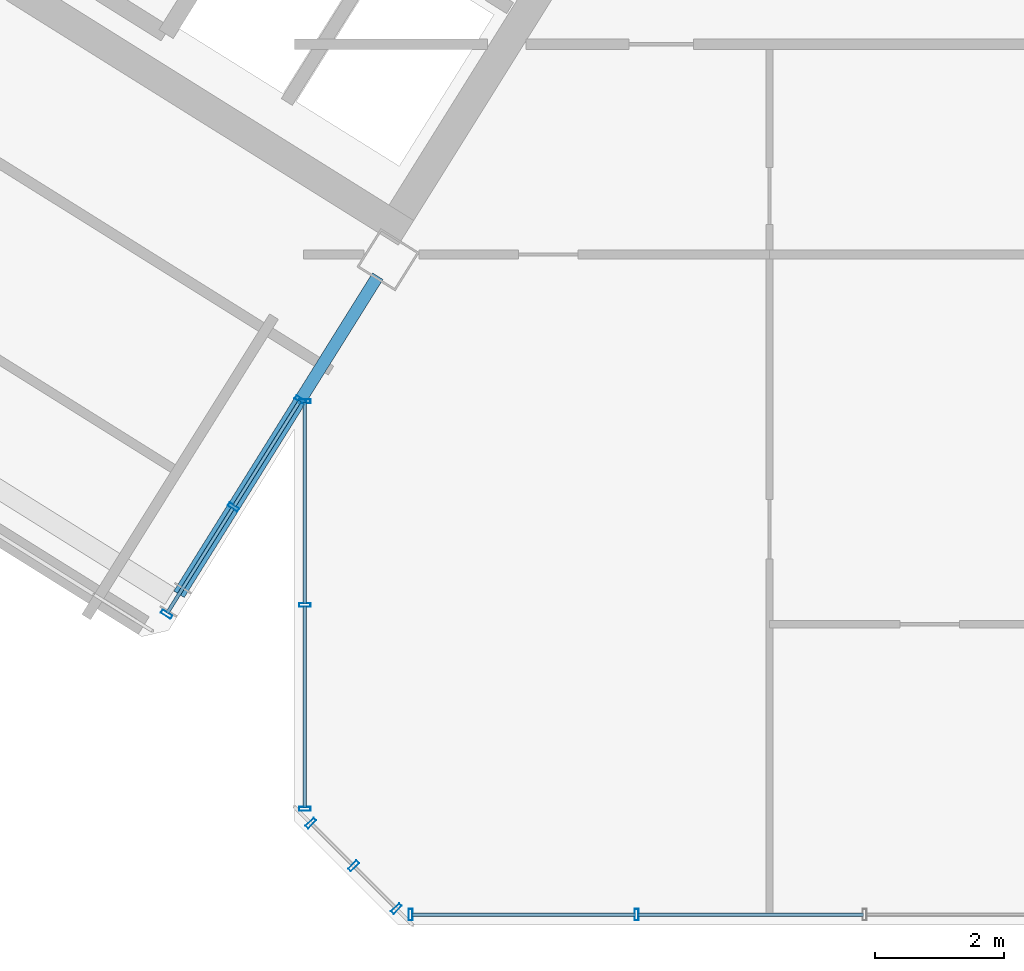
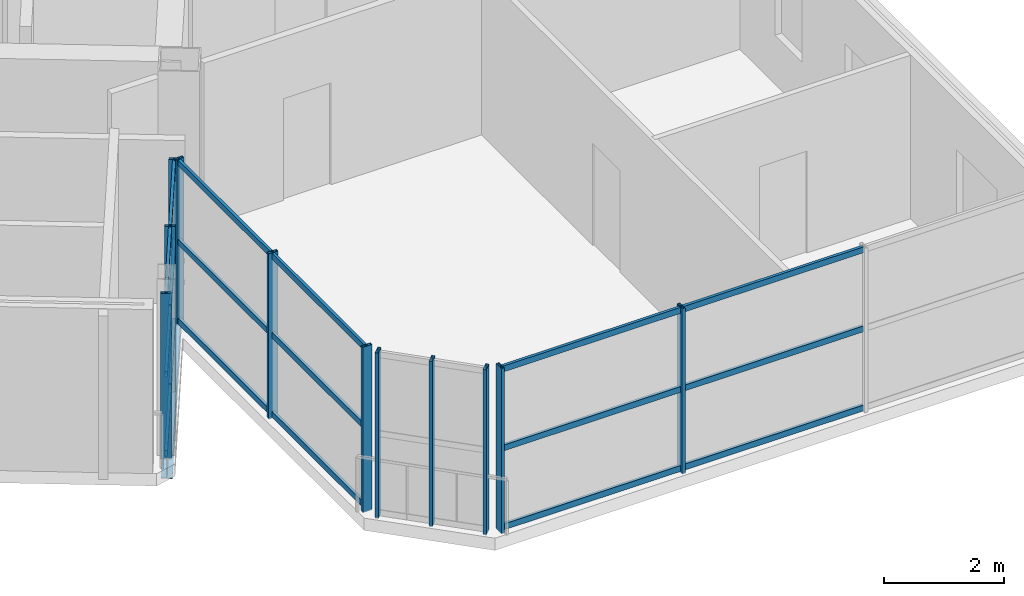
# One storey, part 2 of 13: 29 members, 1 beam, 4 elements without a shape of their own.
"""IFC4 building model written with IfcOpenShell, lengths in metres."""

from ifc_helpers import new_model, si_unit, direction, frame, origin, origin_2d, place, context, subcontext, project, spatial, hollow_rectangle, i_section, extrude, source, transform, mapped, material, material_profile, profile_set, type_object, element, aggregate, save


model = new_model("IFC4")

# Units and contexts
model_context = context("Model", 3, precision=1e-05, world=origin(), true_north=direction((0.0, 1.0)))
body_context = subcontext(model_context, "Body", "Model", "MODEL_VIEW")
ifc_project = project(units=[si_unit("LENGTHUNIT", "METRE"), si_unit("AREAUNIT", "SQUARE_METRE"), si_unit("VOLUMEUNIT", "CUBIC_METRE"), si_unit("PLANEANGLEUNIT", "RADIAN"), si_unit("MASSUNIT", "GRAM", prefix="KILO")], contexts=[model_context])

# Site, building, storey
site_placement = place(None, origin())
site = spatial("IfcSite", under=ifc_project, at=site_placement, CompositionType="ELEMENT")
building_placement = place(site_placement, origin())
building = spatial("IfcBuilding", under=site, at=building_placement, Name="Tlacorven Tower", CompositionType="ELEMENT")
storey_placement = place(building_placement, frame((0.0, 0.0, 291.60009765625)))
storey = spatial("IfcBuildingStorey", under=building, at=storey_placement, Name="L74", CompositionType="ELEMENT", Elevation=291.60009765625)

# Beam
ifc_material_1 = material(Name="Steel S355J2", Category="steel")
ifc_material_profile_1 = material_profile(ifc_material_1, i_section(OverallWidth=0.18994140625, OverallDepth=0.449951171875, WebThickness=0.009521484375, FlangeThickness=0.0146484375, at=origin_2d()), Name="IPE 450")
ifc_profile_set_1 = profile_set([ifc_material_profile_1], Name="Steel S355J2")
beam_type = type_object("IfcBeamType", Name="BM-TWR-450", PredefinedType="BEAM", material=ifc_profile_set_1)
shared_shape_1 = source(origin(), body_context, "Body", "SweptSolid", [
    extrude(i_section(OverallWidth=0.18994140625, OverallDepth=0.449951171875, WebThickness=0.009521484375, FlangeThickness=0.0146484375, at=origin_2d()), origin(), (0.0, 0.0, 1.0), 5.800048828125),
])
beam_placement = place(storey_placement, frame((32.88720703125, 11.83251953125, -0.47509765625), z_axis=(-0.529911912967, -0.848052689693, 0.0), x_axis=(0.848052689693, -0.529911912967, 0.0)))
element("IfcBeam", 1, at=beam_placement, inside=storey, type_object=beam_type, Name="L74 beam BM-L74-WT1-2", PredefinedType="BEAM", context=body_context, shape_type="MappedRepresentation", body=[
    mapped(shared_shape_1, transform((0.0, 0.0, 0.0), scale=1.0)),
])

# Curtain wall, members
ifc_material_2 = material(Name="Dark solar low-E double glazing in aluminium frame", Category="aluminium")
curtain_wall_type = type_object("IfcCurtainWallType", Name="CW-TWR-HIGH", PredefinedType="USERDEFINED", material=ifc_material_2)
curtain_wall_1_placement = place(storey_placement, origin())
curtain_wall_1 = element("IfcCurtainWall", 2, at=curtain_wall_1_placement, inside=storey, type_object=curtain_wall_type, Name="L74 CW-TWR-HIGH Curtain Wall 344", ObjectType="UNITISED CURTAIN WALL", PredefinedType="USERDEFINED")
ifc_material_3 = material(Name="Aluminium 6063-T6 anodised", Category="aluminium")
ifc_material_profile_2 = material_profile(ifc_material_3, hollow_rectangle(XDim=0.06005859375, YDim=0.179931640625, WallThickness=0.00390625, at=origin_2d()), Name="ALU MULLION 60X180")
ifc_profile_set_2 = profile_set([ifc_material_profile_2], Name="Aluminium 6063-T6 anodised")
member_type_1 = type_object("IfcMemberType", Name="CWM-03", PredefinedType="MULLION", material=ifc_profile_set_2)
shared_shape_2 = source(origin(), body_context, "Body", "SweptSolid", [
    extrude(hollow_rectangle(XDim=0.06005859375, YDim=0.179931640625, WallThickness=0.00390625, at=origin_2d()), origin(), (0.0, 0.0, 1.0), 3.3798828125),
])
member_1_placement = place(storey_placement, frame((36.890869140625, 1.9599609375, -0.02001953125), z_axis=(0.0, 0.0, 1.0), x_axis=(-1.0, 0.0, 0.0)))
member_1 = element("IfcMember", 3, at=member_1_placement, type_object=member_type_1, Name="CW-L74-344 Mullion 3", PredefinedType="MULLION", context=body_context, shape_type="MappedRepresentation", body=[
    mapped(shared_shape_2, transform((0.0, 0.0, 0.0), scale=1.0)),
])
member_2_placement = place(storey_placement, frame((33.396240234375, 1.9599609375, -0.02001953125), z_axis=(0.0, 0.0, 1.0), x_axis=(-1.0, 0.0, 0.0)))
member_2 = element("IfcMember", 4, at=member_2_placement, type_object=member_type_1, Name="CW-L74-344 Mullion 4", PredefinedType="MULLION", context=body_context, shape_type="MappedRepresentation", body=[
    mapped(shared_shape_2, transform((0.0, 0.0, 0.0), scale=1.0)),
])

curtain_wall_2_placement = place(storey_placement, origin())
curtain_wall_2 = element("IfcCurtainWall", 5, at=curtain_wall_2_placement, inside=storey, type_object=curtain_wall_type, Name="L74 CW-TWR-HIGH Curtain Wall 345", ObjectType="UNITISED CURTAIN WALL", PredefinedType="USERDEFINED")
member_3_placement = place(storey_placement, frame((33.17431640625, 2.052001953125, -0.02001953125), z_axis=(0.0, 0.0, 1.0), x_axis=(-0.707106781187, 0.707106781187, 0.0)))
member_3 = element("IfcMember", 6, at=member_3_placement, type_object=member_type_1, Name="CW-L74-345 Mullion 1", PredefinedType="MULLION", context=body_context, shape_type="MappedRepresentation", body=[
    mapped(shared_shape_2, transform((0.0, 0.0, 0.0), scale=1.0)),
])
member_4_placement = place(storey_placement, frame((32.51318359375, 2.713134765625, -0.02001953125), z_axis=(0.0, 0.0, 1.0), x_axis=(-0.707106781187, 0.707106781187, 0.0)))
member_4 = element("IfcMember", 7, at=member_4_placement, type_object=member_type_1, Name="CW-L74-345 Mullion 2", PredefinedType="MULLION", context=body_context, shape_type="MappedRepresentation", body=[
    mapped(shared_shape_2, transform((0.0, 0.0, 0.0), scale=1.0)),
])
member_5_placement = place(storey_placement, frame((31.851806640625, 3.374267578125, -0.02001953125), z_axis=(0.0, 0.0, 1.0), x_axis=(-0.707106781187, 0.707106781187, 0.0)))
member_5 = element("IfcMember", 8, at=member_5_placement, type_object=member_type_1, Name="CW-L74-345 Mullion 3", PredefinedType="MULLION", context=body_context, shape_type="MappedRepresentation", body=[
    mapped(shared_shape_2, transform((0.0, 0.0, 0.0), scale=1.0)),
])
aggregate(curtain_wall_2, [member_3, member_4, member_5])

curtain_wall_3_placement = place(storey_placement, origin())
curtain_wall_3 = element("IfcCurtainWall", 9, at=curtain_wall_3_placement, inside=storey, type_object=curtain_wall_type, Name="L74 CW-TWR-HIGH Curtain Wall 346", ObjectType="UNITISED CURTAIN WALL", PredefinedType="USERDEFINED")
member_6_placement = place(storey_placement, frame((31.760009765625, 3.59619140625, -0.02001953125), z_axis=(0.0, 0.0, 1.0), x_axis=(0.0, 1.0, 0.0)))
member_6 = element("IfcMember", 10, at=member_6_placement, type_object=member_type_1, Name="CW-L74-346 Mullion 1", PredefinedType="MULLION", context=body_context, shape_type="MappedRepresentation", body=[
    mapped(shared_shape_2, transform((0.0, 0.0, 0.0), scale=1.0)),
])
member_7_placement = place(storey_placement, frame((31.760009765625, 6.74755859375, -0.02001953125), z_axis=(0.0, 0.0, 1.0), x_axis=(0.0, 1.0, 0.0)))
member_7 = element("IfcMember", 11, at=member_7_placement, type_object=member_type_1, Name="CW-L74-346 Mullion 2", PredefinedType="MULLION", context=body_context, shape_type="MappedRepresentation", body=[
    mapped(shared_shape_2, transform((0.0, 0.0, 0.0), scale=1.0)),
])
member_8_placement = place(storey_placement, frame((31.760009765625, 9.898681640625, -0.02001953125), z_axis=(0.0, 0.0, 1.0), x_axis=(0.0, 1.0, 0.0)))
member_8 = element("IfcMember", 12, at=member_8_placement, type_object=member_type_1, Name="CW-L74-346 Mullion 3", PredefinedType="MULLION", context=body_context, shape_type="MappedRepresentation", body=[
    mapped(shared_shape_2, transform((0.0, 0.0, 0.0), scale=1.0)),
])

curtain_wall_4_placement = place(storey_placement, origin())
curtain_wall_4 = element("IfcCurtainWall", 13, at=curtain_wall_4_placement, inside=storey, type_object=curtain_wall_type, Name="L74 CW-TWR-HIGH Curtain Wall 347", ObjectType="UNITISED CURTAIN WALL", PredefinedType="USERDEFINED")
member_9_placement = place(storey_placement, frame((31.691162109375, 9.91845703125, -0.02001953125), z_axis=(0.0, 0.0, 1.0), x_axis=(-0.529918710919, -0.848048441905, 0.0)))
member_9 = element("IfcMember", 14, at=member_9_placement, type_object=member_type_1, Name="CW-L74-347 Mullion 1", PredefinedType="MULLION", context=body_context, shape_type="MappedRepresentation", body=[
    mapped(shared_shape_2, transform((0.0, 0.0, 0.0), scale=1.0)),
])
member_10_placement = place(storey_placement, frame((30.656005859375, 8.261962890625, -0.02001953125), z_axis=(0.0, 0.0, 1.0), x_axis=(-0.529918710919, -0.848048441905, 0.0)))
member_10 = element("IfcMember", 15, at=member_10_placement, type_object=member_type_1, Name="CW-L74-347 Mullion 2", PredefinedType="MULLION", context=body_context, shape_type="MappedRepresentation", body=[
    mapped(shared_shape_2, transform((0.0, 0.0, 0.0), scale=1.0)),
])
member_11_placement = place(storey_placement, frame((29.620849609375, 6.605224609375, -0.02001953125), z_axis=(0.0, 0.0, 1.0), x_axis=(-0.529918710919, -0.848048441905, 0.0)))
member_11 = element("IfcMember", 16, at=member_11_placement, type_object=member_type_1, Name="CW-L74-347 Mullion 3", PredefinedType="MULLION", context=body_context, shape_type="MappedRepresentation", body=[
    mapped(shared_shape_2, transform((0.0, 0.0, 0.0), scale=1.0)),
])

# Member
ifc_material_profile_3 = material_profile(ifc_material_3, hollow_rectangle(XDim=0.054931640625, YDim=0.1201171875, WallThickness=0.00341796875, at=origin_2d()), Name="ALU TRANSOM 55X120")
ifc_profile_set_3 = profile_set([ifc_material_profile_3], Name="Aluminium 6063-T6 anodised")
member_type_2 = type_object("IfcMemberType", Name="CWT-03", PredefinedType="USERDEFINED", material=ifc_profile_set_3)
shared_shape_3 = source(origin(), body_context, "Body", "SweptSolid", [
    extrude(hollow_rectangle(XDim=0.054931640625, YDim=0.1201171875, WallThickness=0.00341796875, at=origin_2d()), origin(), (0.0, 0.0, 1.0), 3.115234375),
])
member_12_placement = place(storey_placement, frame((31.760009765625, 3.6142578125, 0.059814453125), z_axis=(0.0, 1.0, 0.0), x_axis=(-1.0, 0.0, 0.0)))
member_12 = element("IfcMember", 17, at=member_12_placement, type_object=member_type_2, Name="CW-L74-346 Transom 1", ObjectType="TRANSOM", PredefinedType="USERDEFINED", context=body_context, shape_type="MappedRepresentation", body=[
    mapped(shared_shape_3, transform((0.0, 0.0, 0.0), scale=1.0)),
])

member_13_placement = place(storey_placement, frame((31.760009765625, 3.6142578125, 1.6748046875), z_axis=(0.0, 1.0, 0.0), x_axis=(-1.0, 0.0, 0.0)))
member_13 = element("IfcMember", 18, at=member_13_placement, type_object=member_type_2, Name="CW-L74-346 Transom 2", ObjectType="TRANSOM", PredefinedType="USERDEFINED", context=body_context, shape_type="MappedRepresentation", body=[
    mapped(shared_shape_3, transform((0.0, 0.0, 0.0), scale=1.0)),
])

member_14_placement = place(storey_placement, frame((31.760009765625, 3.6142578125, 3.289794921875), z_axis=(0.0, 1.0, 0.0), x_axis=(-1.0, 0.0, 0.0)))
member_14 = element("IfcMember", 19, at=member_14_placement, type_object=member_type_2, Name="CW-L74-346 Transom 3", ObjectType="TRANSOM", PredefinedType="USERDEFINED", context=body_context, shape_type="MappedRepresentation", body=[
    mapped(shared_shape_3, transform((0.0, 0.0, 0.0), scale=1.0)),
])

member_15_placement = place(storey_placement, frame((31.760009765625, 6.765380859375, 0.059814453125), z_axis=(0.0, 1.0, 0.0), x_axis=(-1.0, 0.0, 0.0)))
member_15 = element("IfcMember", 20, at=member_15_placement, type_object=member_type_2, Name="CW-L74-346 Transom 4", ObjectType="TRANSOM", PredefinedType="USERDEFINED", context=body_context, shape_type="MappedRepresentation", body=[
    mapped(shared_shape_3, transform((0.0, 0.0, 0.0), scale=1.0)),
])

member_16_placement = place(storey_placement, frame((31.760009765625, 6.765380859375, 1.6748046875), z_axis=(0.0, 1.0, 0.0), x_axis=(-1.0, 0.0, 0.0)))
member_16 = element("IfcMember", 21, at=member_16_placement, type_object=member_type_2, Name="CW-L74-346 Transom 5", ObjectType="TRANSOM", PredefinedType="USERDEFINED", context=body_context, shape_type="MappedRepresentation", body=[
    mapped(shared_shape_3, transform((0.0, 0.0, 0.0), scale=1.0)),
])

member_17_placement = place(storey_placement, frame((31.760009765625, 6.765380859375, 3.289794921875), z_axis=(0.0, 1.0, 0.0), x_axis=(-1.0, 0.0, 0.0)))
member_17 = element("IfcMember", 22, at=member_17_placement, type_object=member_type_2, Name="CW-L74-346 Transom 6", ObjectType="TRANSOM", PredefinedType="USERDEFINED", context=body_context, shape_type="MappedRepresentation", body=[
    mapped(shared_shape_3, transform((0.0, 0.0, 0.0), scale=1.0)),
])

aggregate(curtain_wall_3, [member_6, member_7, member_8, member_12, member_13, member_14, member_15, member_16, member_17])

shared_shape_4 = source(origin(), body_context, "Body", "SweptSolid", [
    extrude(hollow_rectangle(XDim=0.054931640625, YDim=0.1201171875, WallThickness=0.00341796875, at=origin_2d()), origin(), (0.0, 0.0, 1.0), 1.91748046875),
])
member_18_placement = place(storey_placement, frame((31.681640625, 9.903076171875, 0.059814453125), z_axis=(-0.529953157166, -0.84802691656, 0.0), x_axis=(0.84802691656, -0.529953157166, 0.0)))
member_18 = element("IfcMember", 23, at=member_18_placement, type_object=member_type_2, Name="CW-L74-347 Transom 1", ObjectType="TRANSOM", PredefinedType="USERDEFINED", context=body_context, shape_type="MappedRepresentation", body=[
    mapped(shared_shape_4, transform((0.0, 0.0, 0.0), scale=1.0)),
])

member_19_placement = place(storey_placement, frame((31.681640625, 9.903076171875, 1.6748046875), z_axis=(-0.529953157166, -0.84802691656, 0.0), x_axis=(0.84802691656, -0.529953157166, 0.0)))
member_19 = element("IfcMember", 24, at=member_19_placement, type_object=member_type_2, Name="CW-L74-347 Transom 2", ObjectType="TRANSOM", PredefinedType="USERDEFINED", context=body_context, shape_type="MappedRepresentation", body=[
    mapped(shared_shape_4, transform((0.0, 0.0, 0.0), scale=1.0)),
])

member_20_placement = place(storey_placement, frame((31.681640625, 9.903076171875, 3.289794921875), z_axis=(-0.529953157166, -0.84802691656, 0.0), x_axis=(0.84802691656, -0.529953157166, 0.0)))
member_20 = element("IfcMember", 25, at=member_20_placement, type_object=member_type_2, Name="CW-L74-347 Transom 3", ObjectType="TRANSOM", PredefinedType="USERDEFINED", context=body_context, shape_type="MappedRepresentation", body=[
    mapped(shared_shape_4, transform((0.0, 0.0, 0.0), scale=1.0)),
])

member_21_placement = place(storey_placement, frame((30.646484375, 8.24658203125, 0.059814453125), z_axis=(-0.529953157166, -0.84802691656, 0.0), x_axis=(0.84802691656, -0.529953157166, 0.0)))
member_21 = element("IfcMember", 26, at=member_21_placement, type_object=member_type_2, Name="CW-L74-347 Transom 4", ObjectType="TRANSOM", PredefinedType="USERDEFINED", context=body_context, shape_type="MappedRepresentation", body=[
    mapped(shared_shape_4, transform((0.0, 0.0, 0.0), scale=1.0)),
])

member_22_placement = place(storey_placement, frame((30.646484375, 8.24658203125, 1.6748046875), z_axis=(-0.529953157166, -0.84802691656, 0.0), x_axis=(0.84802691656, -0.529953157166, 0.0)))
member_22 = element("IfcMember", 27, at=member_22_placement, type_object=member_type_2, Name="CW-L74-347 Transom 5", ObjectType="TRANSOM", PredefinedType="USERDEFINED", context=body_context, shape_type="MappedRepresentation", body=[
    mapped(shared_shape_4, transform((0.0, 0.0, 0.0), scale=1.0)),
])

member_23_placement = place(storey_placement, frame((30.646484375, 8.24658203125, 3.289794921875), z_axis=(-0.529953157166, -0.84802691656, 0.0), x_axis=(0.84802691656, -0.529953157166, 0.0)))
member_23 = element("IfcMember", 28, at=member_23_placement, type_object=member_type_2, Name="CW-L74-347 Transom 6", ObjectType="TRANSOM", PredefinedType="USERDEFINED", context=body_context, shape_type="MappedRepresentation", body=[
    mapped(shared_shape_4, transform((0.0, 0.0, 0.0), scale=1.0)),
])

aggregate(curtain_wall_4, [member_9, member_10, member_11, member_18, member_19, member_20, member_21, member_22, member_23])

shared_shape_5 = source(origin(), body_context, "Body", "SweptSolid", [
    extrude(hollow_rectangle(XDim=0.054931640625, YDim=0.1201171875, WallThickness=0.00341796875, at=origin_2d()), origin(), (0.0, 0.0, 1.0), 3.488525390625),
])
member_24_placement = place(storey_placement, frame((40.3974609375, 1.9599609375, 0.059814453125), z_axis=(-1.0, 0.0, 0.0), x_axis=(0.0, -1.0, 0.0)))
member_24 = element("IfcMember", 29, at=member_24_placement, type_object=member_type_2, Name="CW-L74-344 Transom 4", ObjectType="TRANSOM", PredefinedType="USERDEFINED", context=body_context, shape_type="MappedRepresentation", body=[
    mapped(shared_shape_5, transform((0.0, 0.0, 0.0), scale=1.0)),
])

member_25_placement = place(storey_placement, frame((40.3974609375, 1.9599609375, 1.6748046875), z_axis=(-1.0, 0.0, 0.0), x_axis=(0.0, -1.0, 0.0)))
member_25 = element("IfcMember", 30, at=member_25_placement, type_object=member_type_2, Name="CW-L74-344 Transom 5", ObjectType="TRANSOM", PredefinedType="USERDEFINED", context=body_context, shape_type="MappedRepresentation", body=[
    mapped(shared_shape_5, transform((0.0, 0.0, 0.0), scale=1.0)),
])

member_26_placement = place(storey_placement, frame((40.3974609375, 1.9599609375, 3.289794921875), z_axis=(-1.0, 0.0, 0.0), x_axis=(0.0, -1.0, 0.0)))
member_26 = element("IfcMember", 31, at=member_26_placement, type_object=member_type_2, Name="CW-L74-344 Transom 6", ObjectType="TRANSOM", PredefinedType="USERDEFINED", context=body_context, shape_type="MappedRepresentation", body=[
    mapped(shared_shape_5, transform((0.0, 0.0, 0.0), scale=1.0)),
])

shared_shape_6 = source(origin(), body_context, "Body", "SweptSolid", [
    extrude(hollow_rectangle(XDim=0.054931640625, YDim=0.1201171875, WallThickness=0.00341796875, at=origin_2d()), origin(), (0.0, 0.0, 1.0), 3.45849609375),
])
member_27_placement = place(storey_placement, frame((36.872802734375, 1.9599609375, 0.059814453125), z_axis=(-1.0, 0.0, 0.0), x_axis=(0.0, -1.0, 0.0)))
member_27 = element("IfcMember", 32, at=member_27_placement, type_object=member_type_2, Name="CW-L74-344 Transom 7", ObjectType="TRANSOM", PredefinedType="USERDEFINED", context=body_context, shape_type="MappedRepresentation", body=[
    mapped(shared_shape_6, transform((0.0, 0.0, 0.0), scale=1.0)),
])

member_28_placement = place(storey_placement, frame((36.872802734375, 1.9599609375, 1.6748046875), z_axis=(-1.0, 0.0, 0.0), x_axis=(0.0, -1.0, 0.0)))
member_28 = element("IfcMember", 33, at=member_28_placement, type_object=member_type_2, Name="CW-L74-344 Transom 8", ObjectType="TRANSOM", PredefinedType="USERDEFINED", context=body_context, shape_type="MappedRepresentation", body=[
    mapped(shared_shape_6, transform((0.0, 0.0, 0.0), scale=1.0)),
])

member_29_placement = place(storey_placement, frame((36.872802734375, 1.9599609375, 3.289794921875), z_axis=(-1.0, 0.0, 0.0), x_axis=(0.0, -1.0, 0.0)))
member_29 = element("IfcMember", 34, at=member_29_placement, type_object=member_type_2, Name="CW-L74-344 Transom 9", ObjectType="TRANSOM", PredefinedType="USERDEFINED", context=body_context, shape_type="MappedRepresentation", body=[
    mapped(shared_shape_6, transform((0.0, 0.0, 0.0), scale=1.0)),
])

aggregate(curtain_wall_1, [member_1, member_2, member_24, member_25, member_26, member_27, member_28, member_29])

save(model, "model.ifc")
